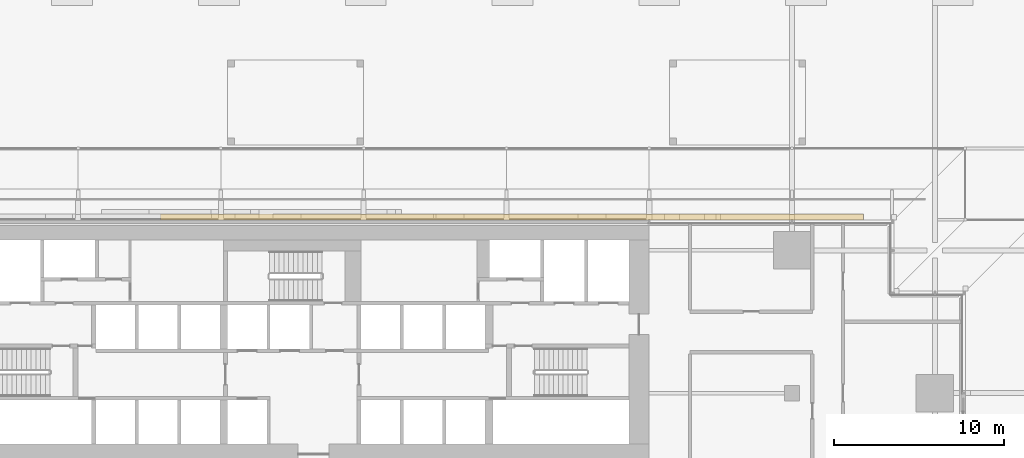
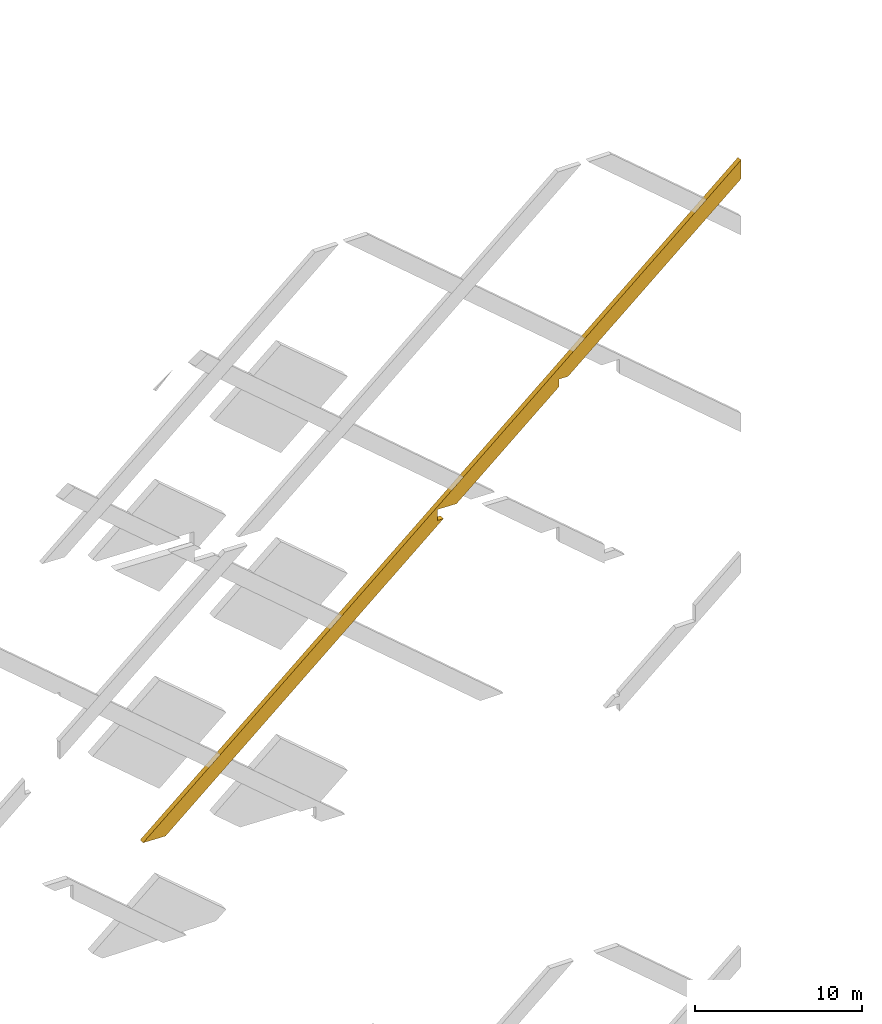
# One storey, part 52 of 60: 1 covering.
"""IFC4 building model written with IfcOpenShell, lengths in metres."""

from ifc_helpers import new_model, si_unit, direction, frame, origin, place, context, subcontext, project, spatial, polyline, outline, extrude, material, layer, layer_set, type_object, element, save


model = new_model("IFC4")

# Units and contexts
model_context = context("Model", 3, precision=1e-05, world=origin(), true_north=direction((0.0, 1.0)))
body_context = subcontext(model_context, "Body", "Model", "MODEL_VIEW")
ifc_project = project(units=[si_unit("LENGTHUNIT", "METRE"), si_unit("AREAUNIT", "SQUARE_METRE"), si_unit("VOLUMEUNIT", "CUBIC_METRE"), si_unit("PLANEANGLEUNIT", "RADIAN"), si_unit("MASSUNIT", "GRAM", prefix="KILO")], contexts=[model_context])

# Site, building, storey
site_placement = place(None, origin())
site = spatial("IfcSite", under=ifc_project, at=site_placement, CompositionType="ELEMENT")
building_placement = place(site_placement, origin())
building = spatial("IfcBuilding", under=site, at=building_placement, Name="Saffron Gate Tower", CompositionType="ELEMENT")
storey_placement = place(building_placement, frame((0.0, 0.0, 19.199951171875)))
storey = spatial("IfcBuildingStorey", under=building, at=storey_placement, Name="L03", CompositionType="ELEMENT", Elevation=19.199951171875)

# Covering
ifc_material = material(Name="Ceramic-printed bronze insulated panel")
ifc_layer = layer(ifc_material, 0.35009765625)
ifc_layer_set = layer_set([ifc_layer], Name="LZ1 lozenge lattice bar 1600")
covering_type = type_object("IfcCoveringType", Name="LZ1 lozenge lattice bar 1600", PredefinedType="CLADDING", material=ifc_layer_set)
covering_placement = place(storey_placement, frame((81.400146484375, 75.949951171875, 194.05712890625), z_axis=(0.0, 1.0, 0.0), x_axis=(-0.999583815893, 0.0, 0.028847790303)))
element("IfcCovering", 1, at=covering_placement, inside=storey, type_object=covering_type, Name="CLADDING lozenge lattice bar", PredefinedType="CLADDING", context=body_context, shape_type="SweptSolid", body=[
    extrude(outline(polyline([(0.0, 0.0), (1.548740264209261, 0.0), (-38.759552574794604, 36.61920762088054), (-38.799119685614826, 35.24819642027377), (-27.139861358969387, 24.656223667134075), (-26.500235093965767, 24.637764180224178), (-26.516060529710348, 24.08940850778498), (-19.61685286138729, 17.82161094460715), (-18.293306730134876, 17.82151546111834), (-18.31637932804286, 17.0220436396182), (-18.73672262312746, 17.021962549851605), (0.0, 0.0)])), origin(), (0.0, 0.0, -1.0), 0.35009765625),
])

save(model, "model.ifc")
